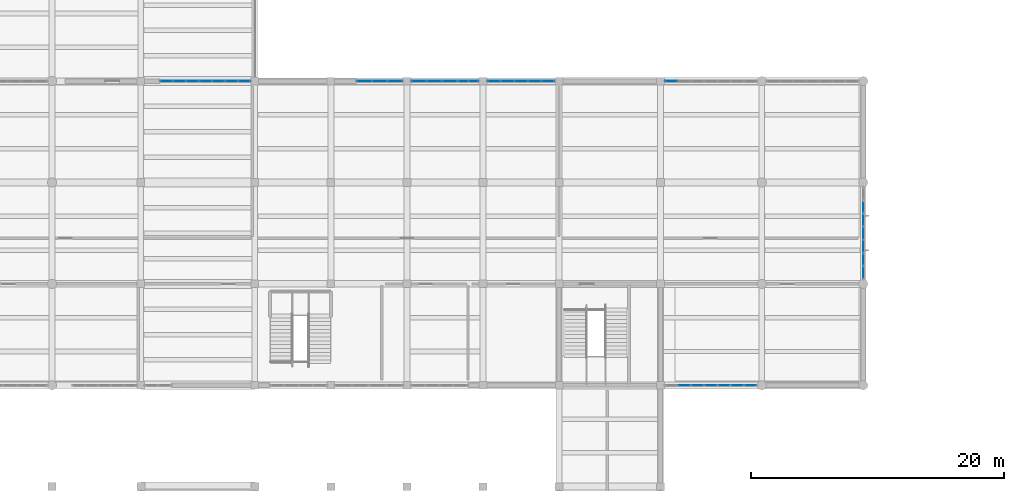
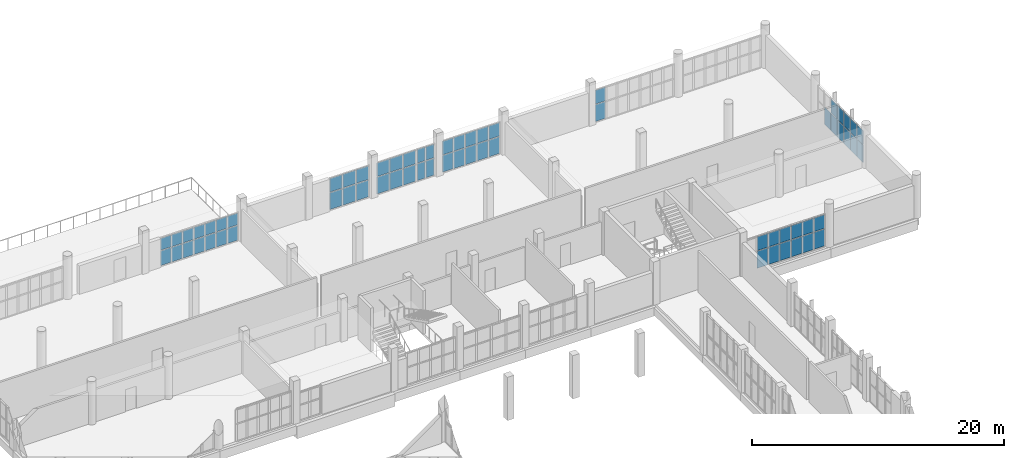
# One storey, part 57 of 85: 65 plates, 8 elements without a shape of their own.
"""IFC4 building model written with IfcOpenShell, lengths in metres."""

from ifc_helpers import new_model, si_unit, direction, frame, origin, origin_2d, place, context, subcontext, project, spatial, rectangle, extrude, material, layer, layer_set, type_object, element, aggregate, save


model = new_model("IFC4")

# Units and contexts
model_context = context("Model", 3, precision=1e-05, world=origin(), true_north=direction((0.0, 1.0)))
body_context = subcontext(model_context, "Body", "Model", "MODEL_VIEW")
ifc_project = project(units=[si_unit("LENGTHUNIT", "METRE"), si_unit("AREAUNIT", "SQUARE_METRE"), si_unit("VOLUMEUNIT", "CUBIC_METRE"), si_unit("PLANEANGLEUNIT", "RADIAN"), si_unit("MASSUNIT", "GRAM", prefix="KILO")], contexts=[model_context])

# Site, building, storey
site_placement = place(None, origin())
site = spatial("IfcSite", under=ifc_project, at=site_placement, CompositionType="ELEMENT")
building_placement = place(site_placement, origin())
building = spatial("IfcBuilding", under=site, at=building_placement, Name="Solvane Community Centre", CompositionType="ELEMENT")
storey_placement = place(building_placement, frame((0.0, 0.0, 5.39990234375)))
storey = spatial("IfcBuildingStorey", under=building, at=storey_placement, Name="L01", CompositionType="ELEMENT", Elevation=5.39990234375)

# Curtain wall, plates
ifc_material_1 = material(Name="Anodised bronze aluminium AW-6063 T6", Category="aluminium")
ifc_layer_1 = layer(ifc_material_1, 0.18994140625)
ifc_layer_set_1 = layer_set([ifc_layer_1], Name="Anodised bronze aluminium AW-6063 T6")
curtain_wall_type_1 = type_object("IfcCurtainWallType", Name="Boulevard Bronze Vision Curtain Wall [17x31dm]", PredefinedType="NOTDEFINED", material=ifc_layer_set_1)
curtain_wall_1_placement = place(storey_placement, origin())
curtain_wall_1 = element("IfcCurtainWall", 1, at=curtain_wall_1_placement, inside=storey, type_object=curtain_wall_type_1, Name="Curtain Wall CW-L01-520_1100-090", PredefinedType="NOTDEFINED")
ifc_material_2 = material(Name="Tempered low-E double glazing", Category="glass")
ifc_layer_2 = layer(ifc_material_2, 0.028076171875)
ifc_layer_set_2 = layer_set([ifc_layer_2], Name="Tempered low-E double glazing")
plate_type_1 = type_object("IfcPlateType", Name="Low-E Vision Glazing Panel 28mm [17x31dm]", PredefinedType="CURTAIN_PANEL", material=ifc_layer_set_2)
plate_1_placement = place(storey_placement, frame((52.436279296875, 110.0, 0.06005859375), z_axis=(0.0, 0.0, 1.0), x_axis=(1.0, 0.0, 0.0)))
plate_1 = element("IfcPlate", 2, at=plate_1_placement, type_object=plate_type_1, Name="CW02-17x31 panel 1.1", PredefinedType="CURTAIN_PANEL", context=body_context, shape_type="SweptSolid", body=[
    extrude(rectangle(XDim=0.75244140625, YDim=0.028076171875, at=origin_2d()), origin(), (0.0, 0.0, 1.0), 1.634033203125),
])
plate_2_placement = place(storey_placement, frame((52.436279296875, 110.0, 1.75390625), z_axis=(0.0, 0.0, 1.0), x_axis=(1.0, 0.0, 0.0)))
plate_2 = element("IfcPlate", 3, at=plate_2_placement, type_object=plate_type_1, Name="CW02-17x31 panel 1.2", PredefinedType="CURTAIN_PANEL", context=body_context, shape_type="SweptSolid", body=[
    extrude(rectangle(XDim=0.75244140625, YDim=0.028076171875, at=origin_2d()), origin(), (0.0, 0.0, 1.0), 1.321044921875),
])
plate_3_placement = place(storey_placement, frame((53.248779296875, 110.0, 0.06005859375), z_axis=(0.0, 0.0, 1.0), x_axis=(1.0, 0.0, 0.0)))
plate_3 = element("IfcPlate", 4, at=plate_3_placement, type_object=plate_type_1, Name="CW02-17x31 panel 2.1", PredefinedType="CURTAIN_PANEL", context=body_context, shape_type="SweptSolid", body=[
    extrude(rectangle(XDim=0.75244140625, YDim=0.028076171875, at=origin_2d()), origin(), (0.0, 0.0, 1.0), 1.634033203125),
])
plate_4_placement = place(storey_placement, frame((53.248779296875, 110.0, 1.75390625), z_axis=(0.0, 0.0, 1.0), x_axis=(1.0, 0.0, 0.0)))
plate_4 = element("IfcPlate", 5, at=plate_4_placement, type_object=plate_type_1, Name="CW02-17x31 panel 2.2", PredefinedType="CURTAIN_PANEL", context=body_context, shape_type="SweptSolid", body=[
    extrude(rectangle(XDim=0.75244140625, YDim=0.028076171875, at=origin_2d()), origin(), (0.0, 0.0, 1.0), 1.321044921875),
])
aggregate(curtain_wall_1, [plate_1, plate_2, plate_3, plate_4])

ifc_layer_3 = layer(ifc_material_1, 0.18994140625)
ifc_layer_set_3 = layer_set([ifc_layer_3], Name="Anodised bronze aluminium AW-6063 T6")
curtain_wall_type_2 = type_object("IfcCurtainWallType", Name="Boulevard Bronze Vision Curtain Wall [37x31dm]", PredefinedType="NOTDEFINED", material=ifc_layer_set_3)
curtain_wall_2_placement = place(storey_placement, origin())
curtain_wall_2 = element("IfcCurtainWall", 6, at=curtain_wall_2_placement, inside=storey, type_object=curtain_wall_type_2, Name="Curtain Wall CW-L01-440_1100-088", PredefinedType="NOTDEFINED")
ifc_layer_4 = layer(ifc_material_2, 0.028076171875)
ifc_layer_set_4 = layer_set([ifc_layer_4], Name="Tempered low-E double glazing")
plate_type_2 = type_object("IfcPlateType", Name="Low-E Vision Glazing Panel 28mm [37x31dm]", PredefinedType="CURTAIN_PANEL", material=ifc_layer_set_4)
plate_5_placement = place(storey_placement, frame((44.629150390625, 110.0, 0.06005859375), z_axis=(0.0, 0.0, 1.0), x_axis=(1.0, 0.0, 0.0)))
plate_5 = element("IfcPlate", 7, at=plate_5_placement, type_object=plate_type_2, Name="CW02-37x31 panel 1.1", PredefinedType="CURTAIN_PANEL", context=body_context, shape_type="SweptSolid", body=[
    extrude(rectangle(XDim=1.138427734375, YDim=0.028076171875, at=origin_2d()), origin(), (0.0, 0.0, 1.0), 1.634033203125),
])
plate_6_placement = place(storey_placement, frame((44.629150390625, 110.0, 1.75390625), z_axis=(0.0, 0.0, 1.0), x_axis=(1.0, 0.0, 0.0)))
plate_6 = element("IfcPlate", 8, at=plate_6_placement, type_object=plate_type_2, Name="CW02-37x31 panel 1.2", PredefinedType="CURTAIN_PANEL", context=body_context, shape_type="SweptSolid", body=[
    extrude(rectangle(XDim=1.138427734375, YDim=0.028076171875, at=origin_2d()), origin(), (0.0, 0.0, 1.0), 1.321044921875),
])
plate_7_placement = place(storey_placement, frame((45.842529296875, 110.0, 0.06005859375), z_axis=(0.0, 0.0, 1.0), x_axis=(1.0, 0.0, 0.0)))
plate_7 = element("IfcPlate", 9, at=plate_7_placement, type_object=plate_type_2, Name="CW02-37x31 panel 2.1", PredefinedType="CURTAIN_PANEL", context=body_context, shape_type="SweptSolid", body=[
    extrude(rectangle(XDim=1.168212890625, YDim=0.028076171875, at=origin_2d()), origin(), (0.0, 0.0, 1.0), 1.634033203125),
])
plate_8_placement = place(storey_placement, frame((45.842529296875, 110.0, 1.75390625), z_axis=(0.0, 0.0, 1.0), x_axis=(1.0, 0.0, 0.0)))
plate_8 = element("IfcPlate", 10, at=plate_8_placement, type_object=plate_type_2, Name="CW02-37x31 panel 2.2", PredefinedType="CURTAIN_PANEL", context=body_context, shape_type="SweptSolid", body=[
    extrude(rectangle(XDim=1.168212890625, YDim=0.028076171875, at=origin_2d()), origin(), (0.0, 0.0, 1.0), 1.321044921875),
])
plate_9_placement = place(storey_placement, frame((47.055908203125, 110.0, 0.06005859375), z_axis=(0.0, 0.0, 1.0), x_axis=(1.0, 0.0, 0.0)))
plate_9 = element("IfcPlate", 11, at=plate_9_placement, type_object=plate_type_2, Name="CW02-37x31 panel 3.1", PredefinedType="CURTAIN_PANEL", context=body_context, shape_type="SweptSolid", body=[
    extrude(rectangle(XDim=1.138427734375, YDim=0.028076171875, at=origin_2d()), origin(), (0.0, 0.0, 1.0), 1.634033203125),
])
plate_10_placement = place(storey_placement, frame((47.055908203125, 110.0, 1.75390625), z_axis=(0.0, 0.0, 1.0), x_axis=(1.0, 0.0, 0.0)))
plate_10 = element("IfcPlate", 12, at=plate_10_placement, type_object=plate_type_2, Name="CW02-37x31 panel 3.2", PredefinedType="CURTAIN_PANEL", context=body_context, shape_type="SweptSolid", body=[
    extrude(rectangle(XDim=1.138427734375, YDim=0.028076171875, at=origin_2d()), origin(), (0.0, 0.0, 1.0), 1.321044921875),
])
aggregate(curtain_wall_2, [plate_5, plate_6, plate_7, plate_8, plate_9, plate_10])

curtain_wall_3_placement = place(storey_placement, origin())
curtain_wall_3 = element("IfcCurtainWall", 13, at=curtain_wall_3_placement, inside=storey, type_object=curtain_wall_type_2, Name="Curtain Wall CW-L01-483_1100-089", PredefinedType="NOTDEFINED")
plate_11_placement = place(storey_placement, frame((48.944091796875, 110.0, 0.06005859375), z_axis=(0.0, 0.0, 1.0), x_axis=(1.0, 0.0, 0.0)))
plate_11 = element("IfcPlate", 14, at=plate_11_placement, type_object=plate_type_2, Name="CW02-37x31 panel 1.1", PredefinedType="CURTAIN_PANEL", context=body_context, shape_type="SweptSolid", body=[
    extrude(rectangle(XDim=1.138427734375, YDim=0.028076171875, at=origin_2d()), origin(), (0.0, 0.0, 1.0), 1.634033203125),
])
plate_12_placement = place(storey_placement, frame((48.944091796875, 110.0, 1.75390625), z_axis=(0.0, 0.0, 1.0), x_axis=(1.0, 0.0, 0.0)))
plate_12 = element("IfcPlate", 15, at=plate_12_placement, type_object=plate_type_2, Name="CW02-37x31 panel 1.2", PredefinedType="CURTAIN_PANEL", context=body_context, shape_type="SweptSolid", body=[
    extrude(rectangle(XDim=1.138427734375, YDim=0.028076171875, at=origin_2d()), origin(), (0.0, 0.0, 1.0), 1.321044921875),
])
plate_13_placement = place(storey_placement, frame((50.157470703125, 110.0, 0.06005859375), z_axis=(0.0, 0.0, 1.0), x_axis=(1.0, 0.0, 0.0)))
plate_13 = element("IfcPlate", 16, at=plate_13_placement, type_object=plate_type_2, Name="CW02-37x31 panel 2.1", PredefinedType="CURTAIN_PANEL", context=body_context, shape_type="SweptSolid", body=[
    extrude(rectangle(XDim=1.168212890625, YDim=0.028076171875, at=origin_2d()), origin(), (0.0, 0.0, 1.0), 1.634033203125),
])
plate_14_placement = place(storey_placement, frame((50.157470703125, 110.0, 1.75390625), z_axis=(0.0, 0.0, 1.0), x_axis=(1.0, 0.0, 0.0)))
plate_14 = element("IfcPlate", 17, at=plate_14_placement, type_object=plate_type_2, Name="CW02-37x31 panel 2.2", PredefinedType="CURTAIN_PANEL", context=body_context, shape_type="SweptSolid", body=[
    extrude(rectangle(XDim=1.168212890625, YDim=0.028076171875, at=origin_2d()), origin(), (0.0, 0.0, 1.0), 1.321044921875),
])
plate_15_placement = place(storey_placement, frame((51.370849609375, 110.0, 0.06005859375), z_axis=(0.0, 0.0, 1.0), x_axis=(1.0, 0.0, 0.0)))
plate_15 = element("IfcPlate", 18, at=plate_15_placement, type_object=plate_type_2, Name="CW02-37x31 panel 3.1", PredefinedType="CURTAIN_PANEL", context=body_context, shape_type="SweptSolid", body=[
    extrude(rectangle(XDim=1.138427734375, YDim=0.028076171875, at=origin_2d()), origin(), (0.0, 0.0, 1.0), 1.634033203125),
])
plate_16_placement = place(storey_placement, frame((51.370849609375, 110.0, 1.75390625), z_axis=(0.0, 0.0, 1.0), x_axis=(1.0, 0.0, 0.0)))
plate_16 = element("IfcPlate", 19, at=plate_16_placement, type_object=plate_type_2, Name="CW02-37x31 panel 3.2", PredefinedType="CURTAIN_PANEL", context=body_context, shape_type="SweptSolid", body=[
    extrude(rectangle(XDim=1.138427734375, YDim=0.028076171875, at=origin_2d()), origin(), (0.0, 0.0, 1.0), 1.321044921875),
])
aggregate(curtain_wall_3, [plate_11, plate_12, plate_13, plate_14, plate_15, plate_16])

ifc_layer_5 = layer(ifc_material_1, 0.18994140625)
ifc_layer_set_5 = layer_set([ifc_layer_5], Name="Anodised bronze aluminium AW-6063 T6")
curtain_wall_type_3 = type_object("IfcCurtainWallType", Name="Boulevard Bronze Vision Curtain Wall [54x31dm]", PredefinedType="NOTDEFINED", material=ifc_layer_set_5)
curtain_wall_4_placement = place(storey_placement, origin())
curtain_wall_4 = element("IfcCurtainWall", 20, at=curtain_wall_4_placement, inside=storey, type_object=curtain_wall_type_3, Name="Curtain Wall CW-L01-543_1100-091", PredefinedType="NOTDEFINED")
ifc_layer_6 = layer(ifc_material_2, 0.028076171875)
ifc_layer_set_6 = layer_set([ifc_layer_6], Name="Tempered low-E double glazing")
plate_type_3 = type_object("IfcPlateType", Name="Low-E Vision Glazing Panel 28mm [54x31dm]", PredefinedType="CURTAIN_PANEL", material=ifc_layer_set_6)
plate_17_placement = place(storey_placement, frame((54.866943359375, 110.0, 0.06005859375), z_axis=(0.0, 0.0, 1.0), x_axis=(1.0, 0.0, 0.0)))
plate_17 = element("IfcPlate", 21, at=plate_17_placement, type_object=plate_type_3, Name="CW02-54x31 panel 1.1", PredefinedType="CURTAIN_PANEL", context=body_context, shape_type="SweptSolid", body=[
    extrude(rectangle(XDim=0.98388671875, YDim=0.028076171875, at=origin_2d()), origin(), (0.0, 0.0, 1.0), 1.634033203125),
])
plate_18_placement = place(storey_placement, frame((54.866943359375, 110.0, 1.75390625), z_axis=(0.0, 0.0, 1.0), x_axis=(1.0, 0.0, 0.0)))
plate_18 = element("IfcPlate", 22, at=plate_18_placement, type_object=plate_type_3, Name="CW02-54x31 panel 1.2", PredefinedType="CURTAIN_PANEL", context=body_context, shape_type="SweptSolid", body=[
    extrude(rectangle(XDim=0.98388671875, YDim=0.028076171875, at=origin_2d()), origin(), (0.0, 0.0, 1.0), 1.321044921875),
])
plate_19_placement = place(storey_placement, frame((55.926025390625, 110.0, 0.06005859375), z_axis=(0.0, 0.0, 1.0), x_axis=(1.0, 0.0, 0.0)))
plate_19 = element("IfcPlate", 23, at=plate_19_placement, type_object=plate_type_3, Name="CW02-54x31 panel 2.1", PredefinedType="CURTAIN_PANEL", context=body_context, shape_type="SweptSolid", body=[
    extrude(rectangle(XDim=1.013916015625, YDim=0.028076171875, at=origin_2d()), origin(), (0.0, 0.0, 1.0), 1.634033203125),
])
plate_20_placement = place(storey_placement, frame((55.926025390625, 110.0, 1.75390625), z_axis=(0.0, 0.0, 1.0), x_axis=(1.0, 0.0, 0.0)))
plate_20 = element("IfcPlate", 24, at=plate_20_placement, type_object=plate_type_3, Name="CW02-54x31 panel 2.2", PredefinedType="CURTAIN_PANEL", context=body_context, shape_type="SweptSolid", body=[
    extrude(rectangle(XDim=1.013916015625, YDim=0.028076171875, at=origin_2d()), origin(), (0.0, 0.0, 1.0), 1.321044921875),
])
plate_21_placement = place(storey_placement, frame((57.0, 110.0, 0.06005859375), z_axis=(0.0, 0.0, 1.0), x_axis=(1.0, 0.0, 0.0)))
plate_21 = element("IfcPlate", 25, at=plate_21_placement, type_object=plate_type_3, Name="CW02-54x31 panel 3.1", PredefinedType="CURTAIN_PANEL", context=body_context, shape_type="SweptSolid", body=[
    extrude(rectangle(XDim=1.013916015625, YDim=0.028076171875, at=origin_2d()), origin(), (0.0, 0.0, 1.0), 1.634033203125),
])
plate_22_placement = place(storey_placement, frame((57.0, 110.0, 1.75390625), z_axis=(0.0, 0.0, 1.0), x_axis=(1.0, 0.0, 0.0)))
plate_22 = element("IfcPlate", 26, at=plate_22_placement, type_object=plate_type_3, Name="CW02-54x31 panel 3.2", PredefinedType="CURTAIN_PANEL", context=body_context, shape_type="SweptSolid", body=[
    extrude(rectangle(XDim=1.013916015625, YDim=0.028076171875, at=origin_2d()), origin(), (0.0, 0.0, 1.0), 1.321044921875),
])
plate_23_placement = place(storey_placement, frame((58.073974609375, 110.0, 0.06005859375), z_axis=(0.0, 0.0, 1.0), x_axis=(1.0, 0.0, 0.0)))
plate_23 = element("IfcPlate", 27, at=plate_23_placement, type_object=plate_type_3, Name="CW02-54x31 panel 4.1", PredefinedType="CURTAIN_PANEL", context=body_context, shape_type="SweptSolid", body=[
    extrude(rectangle(XDim=1.013916015625, YDim=0.028076171875, at=origin_2d()), origin(), (0.0, 0.0, 1.0), 1.634033203125),
])
plate_24_placement = place(storey_placement, frame((58.073974609375, 110.0, 1.75390625), z_axis=(0.0, 0.0, 1.0), x_axis=(1.0, 0.0, 0.0)))
plate_24 = element("IfcPlate", 28, at=plate_24_placement, type_object=plate_type_3, Name="CW02-54x31 panel 4.2", PredefinedType="CURTAIN_PANEL", context=body_context, shape_type="SweptSolid", body=[
    extrude(rectangle(XDim=1.013916015625, YDim=0.028076171875, at=origin_2d()), origin(), (0.0, 0.0, 1.0), 1.321044921875),
])
plate_25_placement = place(storey_placement, frame((59.133056640625, 110.0, 0.06005859375), z_axis=(0.0, 0.0, 1.0), x_axis=(1.0, 0.0, 0.0)))
plate_25 = element("IfcPlate", 29, at=plate_25_placement, type_object=plate_type_3, Name="CW02-54x31 panel 5.1", PredefinedType="CURTAIN_PANEL", context=body_context, shape_type="SweptSolid", body=[
    extrude(rectangle(XDim=0.98388671875, YDim=0.028076171875, at=origin_2d()), origin(), (0.0, 0.0, 1.0), 1.634033203125),
])
plate_26_placement = place(storey_placement, frame((59.133056640625, 110.0, 1.75390625), z_axis=(0.0, 0.0, 1.0), x_axis=(1.0, 0.0, 0.0)))
plate_26 = element("IfcPlate", 30, at=plate_26_placement, type_object=plate_type_3, Name="CW02-54x31 panel 5.2", PredefinedType="CURTAIN_PANEL", context=body_context, shape_type="SweptSolid", body=[
    extrude(rectangle(XDim=0.98388671875, YDim=0.028076171875, at=origin_2d()), origin(), (0.0, 0.0, 1.0), 1.321044921875),
])
aggregate(curtain_wall_4, [plate_17, plate_18, plate_19, plate_20, plate_21, plate_22, plate_23, plate_24, plate_25, plate_26])

ifc_layer_7 = layer(ifc_material_1, 0.18994140625)
ifc_layer_set_7 = layer_set([ifc_layer_7], Name="Anodised bronze aluminium AW-6063 T6")
curtain_wall_type_4 = type_object("IfcCurtainWallType", Name="Boulevard Bronze Vision Curtain Wall [72x28dm]", PredefinedType="NOTDEFINED", material=ifc_layer_set_7)
curtain_wall_5_placement = place(storey_placement, origin())
curtain_wall_5 = element("IfcCurtainWall", 31, at=curtain_wall_5_placement, inside=storey, type_object=curtain_wall_type_4, Name="Curtain Wall CW-L01-285_1100-087", PredefinedType="NOTDEFINED")
ifc_layer_8 = layer(ifc_material_2, 0.028076171875)
ifc_layer_set_8 = layer_set([ifc_layer_8], Name="Tempered low-E double glazing")
plate_type_4 = type_object("IfcPlateType", Name="Low-E Vision Glazing Panel 28mm [72x28dm]", PredefinedType="CURTAIN_PANEL", material=ifc_layer_set_8)
plate_27_placement = place(storey_placement, frame((29.0283203125, 110.0, 0.06005859375), z_axis=(0.0, 0.0, 1.0), x_axis=(1.0, 0.0, 0.0)))
plate_27 = element("IfcPlate", 32, at=plate_27_placement, type_object=plate_type_4, Name="CW02-72x28 panel 1.1", PredefinedType="CURTAIN_PANEL", context=body_context, shape_type="SweptSolid", body=[
    extrude(rectangle(XDim=0.9365234375, YDim=0.028076171875, at=origin_2d()), origin(), (0.0, 0.0, 1.0), 1.430908203125),
])
plate_28_placement = place(storey_placement, frame((29.0283203125, 110.0, 1.55126953125), z_axis=(0.0, 0.0, 1.0), x_axis=(1.0, 0.0, 0.0)))
plate_28 = element("IfcPlate", 33, at=plate_28_placement, type_object=plate_type_4, Name="CW02-72x28 panel 1.2", PredefinedType="CURTAIN_PANEL", context=body_context, shape_type="SweptSolid", body=[
    extrude(rectangle(XDim=0.9365234375, YDim=0.028076171875, at=origin_2d()), origin(), (0.0, 0.0, 1.0), 1.154052734375),
])
plate_29_placement = place(storey_placement, frame((30.03955078125, 110.0, 0.06005859375), z_axis=(0.0, 0.0, 1.0), x_axis=(1.0, 0.0, 0.0)))
plate_29 = element("IfcPlate", 34, at=plate_29_placement, type_object=plate_type_4, Name="CW02-72x28 panel 2.1", PredefinedType="CURTAIN_PANEL", context=body_context, shape_type="SweptSolid", body=[
    extrude(rectangle(XDim=0.96630859375, YDim=0.028076171875, at=origin_2d()), origin(), (0.0, 0.0, 1.0), 1.430908203125),
])
plate_30_placement = place(storey_placement, frame((30.03955078125, 110.0, 1.55126953125), z_axis=(0.0, 0.0, 1.0), x_axis=(1.0, 0.0, 0.0)))
plate_30 = element("IfcPlate", 35, at=plate_30_placement, type_object=plate_type_4, Name="CW02-72x28 panel 2.2", PredefinedType="CURTAIN_PANEL", context=body_context, shape_type="SweptSolid", body=[
    extrude(rectangle(XDim=0.96630859375, YDim=0.028076171875, at=origin_2d()), origin(), (0.0, 0.0, 1.0), 1.154052734375),
])
plate_31_placement = place(storey_placement, frame((31.066162109375, 110.0, 0.06005859375), z_axis=(0.0, 0.0, 1.0), x_axis=(1.0, 0.0, 0.0)))
plate_31 = element("IfcPlate", 36, at=plate_31_placement, type_object=plate_type_4, Name="CW02-72x28 panel 3.1", PredefinedType="CURTAIN_PANEL", context=body_context, shape_type="SweptSolid", body=[
    extrude(rectangle(XDim=0.96630859375, YDim=0.028076171875, at=origin_2d()), origin(), (0.0, 0.0, 1.0), 1.430908203125),
])
plate_32_placement = place(storey_placement, frame((31.066162109375, 110.0, 1.55126953125), z_axis=(0.0, 0.0, 1.0), x_axis=(1.0, 0.0, 0.0)))
plate_32 = element("IfcPlate", 37, at=plate_32_placement, type_object=plate_type_4, Name="CW02-72x28 panel 3.2", PredefinedType="CURTAIN_PANEL", context=body_context, shape_type="SweptSolid", body=[
    extrude(rectangle(XDim=0.96630859375, YDim=0.028076171875, at=origin_2d()), origin(), (0.0, 0.0, 1.0), 1.154052734375),
])
plate_33_placement = place(storey_placement, frame((32.092529296875, 110.0, 0.06005859375), z_axis=(0.0, 0.0, 1.0), x_axis=(1.0, 0.0, 0.0)))
plate_33 = element("IfcPlate", 38, at=plate_33_placement, type_object=plate_type_4, Name="CW02-72x28 panel 4.1", PredefinedType="CURTAIN_PANEL", context=body_context, shape_type="SweptSolid", body=[
    extrude(rectangle(XDim=0.96630859375, YDim=0.028076171875, at=origin_2d()), origin(), (0.0, 0.0, 1.0), 1.430908203125),
])
plate_34_placement = place(storey_placement, frame((32.092529296875, 110.0, 1.55126953125), z_axis=(0.0, 0.0, 1.0), x_axis=(1.0, 0.0, 0.0)))
plate_34 = element("IfcPlate", 39, at=plate_34_placement, type_object=plate_type_4, Name="CW02-72x28 panel 4.2", PredefinedType="CURTAIN_PANEL", context=body_context, shape_type="SweptSolid", body=[
    extrude(rectangle(XDim=0.96630859375, YDim=0.028076171875, at=origin_2d()), origin(), (0.0, 0.0, 1.0), 1.154052734375),
])
plate_35_placement = place(storey_placement, frame((33.118896484375, 110.0, 0.06005859375), z_axis=(0.0, 0.0, 1.0), x_axis=(1.0, 0.0, 0.0)))
plate_35 = element("IfcPlate", 40, at=plate_35_placement, type_object=plate_type_4, Name="CW02-72x28 panel 5.1", PredefinedType="CURTAIN_PANEL", context=body_context, shape_type="SweptSolid", body=[
    extrude(rectangle(XDim=0.96630859375, YDim=0.028076171875, at=origin_2d()), origin(), (0.0, 0.0, 1.0), 1.430908203125),
])
plate_36_placement = place(storey_placement, frame((33.118896484375, 110.0, 1.55126953125), z_axis=(0.0, 0.0, 1.0), x_axis=(1.0, 0.0, 0.0)))
plate_36 = element("IfcPlate", 41, at=plate_36_placement, type_object=plate_type_4, Name="CW02-72x28 panel 5.2", PredefinedType="CURTAIN_PANEL", context=body_context, shape_type="SweptSolid", body=[
    extrude(rectangle(XDim=0.96630859375, YDim=0.028076171875, at=origin_2d()), origin(), (0.0, 0.0, 1.0), 1.154052734375),
])
plate_37_placement = place(storey_placement, frame((34.145263671875, 110.0, 0.06005859375), z_axis=(0.0, 0.0, 1.0), x_axis=(1.0, 0.0, 0.0)))
plate_37 = element("IfcPlate", 42, at=plate_37_placement, type_object=plate_type_4, Name="CW02-72x28 panel 6.1", PredefinedType="CURTAIN_PANEL", context=body_context, shape_type="SweptSolid", body=[
    extrude(rectangle(XDim=0.96630859375, YDim=0.028076171875, at=origin_2d()), origin(), (0.0, 0.0, 1.0), 1.430908203125),
])
plate_38_placement = place(storey_placement, frame((34.145263671875, 110.0, 1.55126953125), z_axis=(0.0, 0.0, 1.0), x_axis=(1.0, 0.0, 0.0)))
plate_38 = element("IfcPlate", 43, at=plate_38_placement, type_object=plate_type_4, Name="CW02-72x28 panel 6.2", PredefinedType="CURTAIN_PANEL", context=body_context, shape_type="SweptSolid", body=[
    extrude(rectangle(XDim=0.96630859375, YDim=0.028076171875, at=origin_2d()), origin(), (0.0, 0.0, 1.0), 1.154052734375),
])
plate_39_placement = place(storey_placement, frame((35.15673828125, 110.0, 0.06005859375), z_axis=(0.0, 0.0, 1.0), x_axis=(1.0, 0.0, 0.0)))
plate_39 = element("IfcPlate", 44, at=plate_39_placement, type_object=plate_type_4, Name="CW02-72x28 panel 7.1", PredefinedType="CURTAIN_PANEL", context=body_context, shape_type="SweptSolid", body=[
    extrude(rectangle(XDim=0.9365234375, YDim=0.028076171875, at=origin_2d()), origin(), (0.0, 0.0, 1.0), 1.430908203125),
])
plate_40_placement = place(storey_placement, frame((35.15673828125, 110.0, 1.55126953125), z_axis=(0.0, 0.0, 1.0), x_axis=(1.0, 0.0, 0.0)))
plate_40 = element("IfcPlate", 45, at=plate_40_placement, type_object=plate_type_4, Name="CW02-72x28 panel 7.2", PredefinedType="CURTAIN_PANEL", context=body_context, shape_type="SweptSolid", body=[
    extrude(rectangle(XDim=0.9365234375, YDim=0.028076171875, at=origin_2d()), origin(), (0.0, 0.0, 1.0), 1.154052734375),
])
aggregate(curtain_wall_5, [plate_27, plate_28, plate_29, plate_30, plate_31, plate_32, plate_33, plate_34, plate_35, plate_36, plate_37, plate_38, plate_39, plate_40])

ifc_layer_9 = layer(ifc_material_1, 0.18994140625)
ifc_layer_set_9 = layer_set([ifc_layer_9], Name="Anodised bronze aluminium AW-6063 T6")
curtain_wall_type_5 = type_object("IfcCurtainWallType", Name="Boulevard Bronze Vision Curtain Wall [72x32dm]", PredefinedType="NOTDEFINED", material=ifc_layer_set_9)
curtain_wall_6_placement = place(storey_placement, origin())
curtain_wall_6 = element("IfcCurtainWall", 46, at=curtain_wall_6_placement, inside=storey, type_object=curtain_wall_type_5, Name="Curtain Wall CW-L01-840_1016-094", PredefinedType="NOTDEFINED")
ifc_layer_10 = layer(ifc_material_2, 0.028076171875)
ifc_layer_set_10 = layer_set([ifc_layer_10], Name="Tempered low-E double glazing")
plate_type_5 = type_object("IfcPlateType", Name="Low-E Vision Glazing Panel 28mm [72x32dm]", PredefinedType="CURTAIN_PANEL", material=ifc_layer_set_10)
plate_41_placement = place(storey_placement, frame((84.0, 100.071533203125, 0.06005859375), z_axis=(0.0, 0.0, 1.0), x_axis=(0.0, -1.0, 0.0)))
plate_41 = element("IfcPlate", 47, at=plate_41_placement, type_object=plate_type_5, Name="CW02-72x32 panel 2.1", PredefinedType="CURTAIN_PANEL", context=body_context, shape_type="SweptSolid", body=[
    extrude(rectangle(XDim=0.975830078125, YDim=0.028076171875, at=origin_2d()), origin(), (0.0, 0.0, 1.0), 1.68408203125),
])
plate_42_placement = place(storey_placement, frame((84.0, 99.03564453125, 0.06005859375), z_axis=(0.0, 0.0, 1.0), x_axis=(0.0, -1.0, 0.0)))
plate_42 = element("IfcPlate", 48, at=plate_42_placement, type_object=plate_type_5, Name="CW02-72x32 panel 3.1", PredefinedType="CURTAIN_PANEL", context=body_context, shape_type="SweptSolid", body=[
    extrude(rectangle(XDim=0.975830078125, YDim=0.028076171875, at=origin_2d()), origin(), (0.0, 0.0, 1.0), 1.68408203125),
])
plate_43_placement = place(storey_placement, frame((84.0, 99.03564453125, 1.80419921875), z_axis=(0.0, 0.0, 1.0), x_axis=(0.0, -1.0, 0.0)))
plate_43 = element("IfcPlate", 49, at=plate_43_placement, type_object=plate_type_5, Name="CW02-72x32 panel 3.2", PredefinedType="CURTAIN_PANEL", context=body_context, shape_type="SweptSolid", body=[
    extrude(rectangle(XDim=0.975830078125, YDim=0.028076171875, at=origin_2d()), origin(), (0.0, 0.0, 1.0), 1.361083984375),
])
plate_44_placement = place(storey_placement, frame((84.0, 98.0, 0.06005859375), z_axis=(0.0, 0.0, 1.0), x_axis=(0.0, -1.0, 0.0)))
plate_44 = element("IfcPlate", 50, at=plate_44_placement, type_object=plate_type_5, Name="CW02-72x32 panel 4.1", PredefinedType="CURTAIN_PANEL", context=body_context, shape_type="SweptSolid", body=[
    extrude(rectangle(XDim=0.975830078125, YDim=0.028076171875, at=origin_2d()), origin(), (0.0, 0.0, 1.0), 1.68408203125),
])
plate_45_placement = place(storey_placement, frame((84.0, 98.0, 1.80419921875), z_axis=(0.0, 0.0, 1.0), x_axis=(0.0, -1.0, 0.0)))
plate_45 = element("IfcPlate", 51, at=plate_45_placement, type_object=plate_type_5, Name="CW02-72x32 panel 4.2", PredefinedType="CURTAIN_PANEL", context=body_context, shape_type="SweptSolid", body=[
    extrude(rectangle(XDim=0.975830078125, YDim=0.028076171875, at=origin_2d()), origin(), (0.0, 0.0, 1.0), 1.361083984375),
])
plate_46_placement = place(storey_placement, frame((84.0, 96.96435546875, 0.06005859375), z_axis=(0.0, 0.0, 1.0), x_axis=(0.0, -1.0, 0.0)))
plate_46 = element("IfcPlate", 52, at=plate_46_placement, type_object=plate_type_5, Name="CW02-72x32 panel 5.1", PredefinedType="CURTAIN_PANEL", context=body_context, shape_type="SweptSolid", body=[
    extrude(rectangle(XDim=0.975830078125, YDim=0.028076171875, at=origin_2d()), origin(), (0.0, 0.0, 1.0), 1.68408203125),
])
plate_47_placement = place(storey_placement, frame((84.0, 96.96435546875, 1.80419921875), z_axis=(0.0, 0.0, 1.0), x_axis=(0.0, -1.0, 0.0)))
plate_47 = element("IfcPlate", 53, at=plate_47_placement, type_object=plate_type_5, Name="CW02-72x32 panel 5.2", PredefinedType="CURTAIN_PANEL", context=body_context, shape_type="SweptSolid", body=[
    extrude(rectangle(XDim=0.975830078125, YDim=0.028076171875, at=origin_2d()), origin(), (0.0, 0.0, 1.0), 1.361083984375),
])
plate_48_placement = place(storey_placement, frame((84.0, 95.928466796875, 0.06005859375), z_axis=(0.0, 0.0, 1.0), x_axis=(0.0, -1.0, 0.0)))
plate_48 = element("IfcPlate", 54, at=plate_48_placement, type_object=plate_type_5, Name="CW02-72x32 panel 6.1", PredefinedType="CURTAIN_PANEL", context=body_context, shape_type="SweptSolid", body=[
    extrude(rectangle(XDim=0.975830078125, YDim=0.028076171875, at=origin_2d()), origin(), (0.0, 0.0, 1.0), 1.68408203125),
])
plate_49_placement = place(storey_placement, frame((84.0, 95.928466796875, 1.80419921875), z_axis=(0.0, 0.0, 1.0), x_axis=(0.0, -1.0, 0.0)))
plate_49 = element("IfcPlate", 55, at=plate_49_placement, type_object=plate_type_5, Name="CW02-72x32 panel 6.2", PredefinedType="CURTAIN_PANEL", context=body_context, shape_type="SweptSolid", body=[
    extrude(rectangle(XDim=0.975830078125, YDim=0.028076171875, at=origin_2d()), origin(), (0.0, 0.0, 1.0), 1.361083984375),
])
plate_50_placement = place(storey_placement, frame((84.0, 94.907958984375, 0.06005859375), z_axis=(0.0, 0.0, 1.0), x_axis=(0.0, -1.0, 0.0)))
plate_50 = element("IfcPlate", 56, at=plate_50_placement, type_object=plate_type_5, Name="CW02-72x32 panel 7.1", PredefinedType="CURTAIN_PANEL", context=body_context, shape_type="SweptSolid", body=[
    extrude(rectangle(XDim=0.94580078125, YDim=0.028076171875, at=origin_2d()), origin(), (0.0, 0.0, 1.0), 1.68408203125),
])
plate_51_placement = place(storey_placement, frame((84.0, 94.907958984375, 1.80419921875), z_axis=(0.0, 0.0, 1.0), x_axis=(0.0, -1.0, 0.0)))
plate_51 = element("IfcPlate", 57, at=plate_51_placement, type_object=plate_type_5, Name="CW02-72x32 panel 7.2", PredefinedType="CURTAIN_PANEL", context=body_context, shape_type="SweptSolid", body=[
    extrude(rectangle(XDim=0.94580078125, YDim=0.028076171875, at=origin_2d()), origin(), (0.0, 0.0, 1.0), 1.361083984375),
])
aggregate(curtain_wall_6, [plate_41, plate_42, plate_43, plate_44, plate_45, plate_46, plate_47, plate_48, plate_49, plate_50, plate_51])

ifc_layer_11 = layer(ifc_material_1, 0.18994140625)
ifc_layer_set_11 = layer_set([ifc_layer_11], Name="Anodised bronze aluminium AW-6063 T6")
curtain_wall_type_6 = type_object("IfcCurtainWallType", Name="Boulevard Bronze Vision Curtain Wall [73x32dm]", PredefinedType="NOTDEFINED", material=ifc_layer_set_11)
curtain_wall_7_placement = place(storey_placement, origin())
curtain_wall_7 = element("IfcCurtainWall", 58, at=curtain_wall_7_placement, inside=storey, type_object=curtain_wall_type_6, Name="Curtain Wall CW-L01-683_1100-092", PredefinedType="NOTDEFINED")
ifc_layer_12 = layer(ifc_material_2, 0.028076171875)
ifc_layer_set_12 = layer_set([ifc_layer_12], Name="Tempered low-E double glazing")
plate_type_6 = type_object("IfcPlateType", Name="Low-E Vision Glazing Panel 28mm [73x32dm]", PredefinedType="CURTAIN_PANEL", material=ifc_layer_set_12)
plate_52_placement = place(storey_placement, frame((68.85205078125, 110.0, 0.06005859375), z_axis=(0.0, 0.0, 1.0), x_axis=(1.0, 0.0, 0.0)))
plate_52 = element("IfcPlate", 59, at=plate_52_placement, type_object=plate_type_6, Name="CW02-73x32 panel 1.1", PredefinedType="CURTAIN_PANEL", context=body_context, shape_type="SweptSolid", body=[
    extrude(rectangle(XDim=0.954345703125, YDim=0.028076171875, at=origin_2d()), origin(), (0.0, 0.0, 1.0), 1.65087890625),
])
plate_53_placement = place(storey_placement, frame((68.85205078125, 110.0, 1.77099609375), z_axis=(0.0, 0.0, 1.0), x_axis=(1.0, 0.0, 0.0)))
plate_53 = element("IfcPlate", 60, at=plate_53_placement, type_object=plate_type_6, Name="CW02-73x32 panel 1.2", PredefinedType="CURTAIN_PANEL", context=body_context, shape_type="SweptSolid", body=[
    extrude(rectangle(XDim=0.954345703125, YDim=0.028076171875, at=origin_2d()), origin(), (0.0, 0.0, 1.0), 1.333984375),
])
aggregate(curtain_wall_7, [plate_52, plate_53])

curtain_wall_8_placement = place(storey_placement, origin())
curtain_wall_8 = element("IfcCurtainWall", 61, at=curtain_wall_8_placement, inside=storey, type_object=curtain_wall_type_6, Name="Curtain Wall CW-L01-756_860-095", PredefinedType="NOTDEFINED")
plate_54_placement = place(storey_placement, frame((75.087890625, 86.0, 0.06005859375), z_axis=(0.0, 0.0, 1.0), x_axis=(-1.0, 0.0, 0.0)))
plate_54 = element("IfcPlate", 62, at=plate_54_placement, type_object=plate_type_6, Name="CW02-73x32 panel 1.1", PredefinedType="CURTAIN_PANEL", context=body_context, shape_type="SweptSolid", body=[
    extrude(rectangle(XDim=0.954345703125, YDim=0.028076171875, at=origin_2d()), origin(), (0.0, 0.0, 1.0), 1.65087890625),
])
plate_55_placement = place(storey_placement, frame((75.087890625, 86.0, 1.77099609375), z_axis=(0.0, 0.0, 1.0), x_axis=(-1.0, 0.0, 0.0)))
plate_55 = element("IfcPlate", 63, at=plate_55_placement, type_object=plate_type_6, Name="CW02-73x32 panel 1.2", PredefinedType="CURTAIN_PANEL", context=body_context, shape_type="SweptSolid", body=[
    extrude(rectangle(XDim=0.954345703125, YDim=0.028076171875, at=origin_2d()), origin(), (0.0, 0.0, 1.0), 1.333984375),
])
plate_56_placement = place(storey_placement, frame((74.05859375, 86.0, 0.06005859375), z_axis=(0.0, 0.0, 1.0), x_axis=(-1.0, 0.0, 0.0)))
plate_56 = element("IfcPlate", 64, at=plate_56_placement, type_object=plate_type_6, Name="CW02-73x32 panel 2.1", PredefinedType="CURTAIN_PANEL", context=body_context, shape_type="SweptSolid", body=[
    extrude(rectangle(XDim=0.984375, YDim=0.028076171875, at=origin_2d()), origin(), (0.0, 0.0, 1.0), 1.65087890625),
])
plate_57_placement = place(storey_placement, frame((74.05859375, 86.0, 1.77099609375), z_axis=(0.0, 0.0, 1.0), x_axis=(-1.0, 0.0, 0.0)))
plate_57 = element("IfcPlate", 65, at=plate_57_placement, type_object=plate_type_6, Name="CW02-73x32 panel 2.2", PredefinedType="CURTAIN_PANEL", context=body_context, shape_type="SweptSolid", body=[
    extrude(rectangle(XDim=0.984375, YDim=0.028076171875, at=origin_2d()), origin(), (0.0, 0.0, 1.0), 1.333984375),
])
plate_58_placement = place(storey_placement, frame((73.014404296875, 86.0, 0.06005859375), z_axis=(0.0, 0.0, 1.0), x_axis=(-1.0, 0.0, 0.0)))
plate_58 = element("IfcPlate", 66, at=plate_58_placement, type_object=plate_type_6, Name="CW02-73x32 panel 3.1", PredefinedType="CURTAIN_PANEL", context=body_context, shape_type="SweptSolid", body=[
    extrude(rectangle(XDim=0.984375, YDim=0.028076171875, at=origin_2d()), origin(), (0.0, 0.0, 1.0), 1.65087890625),
])
plate_59_placement = place(storey_placement, frame((73.014404296875, 86.0, 1.77099609375), z_axis=(0.0, 0.0, 1.0), x_axis=(-1.0, 0.0, 0.0)))
plate_59 = element("IfcPlate", 67, at=plate_59_placement, type_object=plate_type_6, Name="CW02-73x32 panel 3.2", PredefinedType="CURTAIN_PANEL", context=body_context, shape_type="SweptSolid", body=[
    extrude(rectangle(XDim=0.984375, YDim=0.028076171875, at=origin_2d()), origin(), (0.0, 0.0, 1.0), 1.333984375),
])
plate_60_placement = place(storey_placement, frame((71.969970703125, 86.0, 0.06005859375), z_axis=(0.0, 0.0, 1.0), x_axis=(-1.0, 0.0, 0.0)))
plate_60 = element("IfcPlate", 68, at=plate_60_placement, type_object=plate_type_6, Name="CW02-73x32 panel 4.1", PredefinedType="CURTAIN_PANEL", context=body_context, shape_type="SweptSolid", body=[
    extrude(rectangle(XDim=0.984375, YDim=0.028076171875, at=origin_2d()), origin(), (0.0, 0.0, 1.0), 1.65087890625),
])
plate_61_placement = place(storey_placement, frame((71.969970703125, 86.0, 1.77099609375), z_axis=(0.0, 0.0, 1.0), x_axis=(-1.0, 0.0, 0.0)))
plate_61 = element("IfcPlate", 69, at=plate_61_placement, type_object=plate_type_6, Name="CW02-73x32 panel 4.2", PredefinedType="CURTAIN_PANEL", context=body_context, shape_type="SweptSolid", body=[
    extrude(rectangle(XDim=0.984375, YDim=0.028076171875, at=origin_2d()), origin(), (0.0, 0.0, 1.0), 1.333984375),
])
plate_62_placement = place(storey_placement, frame((70.92578125, 86.0, 0.06005859375), z_axis=(0.0, 0.0, 1.0), x_axis=(-1.0, 0.0, 0.0)))
plate_62 = element("IfcPlate", 70, at=plate_62_placement, type_object=plate_type_6, Name="CW02-73x32 panel 5.1", PredefinedType="CURTAIN_PANEL", context=body_context, shape_type="SweptSolid", body=[
    extrude(rectangle(XDim=0.984375, YDim=0.028076171875, at=origin_2d()), origin(), (0.0, 0.0, 1.0), 1.65087890625),
])
plate_63_placement = place(storey_placement, frame((70.92578125, 86.0, 1.77099609375), z_axis=(0.0, 0.0, 1.0), x_axis=(-1.0, 0.0, 0.0)))
plate_63 = element("IfcPlate", 71, at=plate_63_placement, type_object=plate_type_6, Name="CW02-73x32 panel 5.2", PredefinedType="CURTAIN_PANEL", context=body_context, shape_type="SweptSolid", body=[
    extrude(rectangle(XDim=0.984375, YDim=0.028076171875, at=origin_2d()), origin(), (0.0, 0.0, 1.0), 1.333984375),
])
plate_64_placement = place(storey_placement, frame((69.88134765625, 86.0, 0.06005859375), z_axis=(0.0, 0.0, 1.0), x_axis=(-1.0, 0.0, 0.0)))
plate_64 = element("IfcPlate", 72, at=plate_64_placement, type_object=plate_type_6, Name="CW02-73x32 panel 6.1", PredefinedType="CURTAIN_PANEL", context=body_context, shape_type="SweptSolid", body=[
    extrude(rectangle(XDim=0.984375, YDim=0.028076171875, at=origin_2d()), origin(), (0.0, 0.0, 1.0), 1.65087890625),
])
plate_65_placement = place(storey_placement, frame((69.88134765625, 86.0, 1.77099609375), z_axis=(0.0, 0.0, 1.0), x_axis=(-1.0, 0.0, 0.0)))
plate_65 = element("IfcPlate", 73, at=plate_65_placement, type_object=plate_type_6, Name="CW02-73x32 panel 6.2", PredefinedType="CURTAIN_PANEL", context=body_context, shape_type="SweptSolid", body=[
    extrude(rectangle(XDim=0.984375, YDim=0.028076171875, at=origin_2d()), origin(), (0.0, 0.0, 1.0), 1.333984375),
])
aggregate(curtain_wall_8, [plate_54, plate_55, plate_56, plate_57, plate_58, plate_59, plate_60, plate_61, plate_62, plate_63, plate_64, plate_65])

save(model, "model.ifc")
